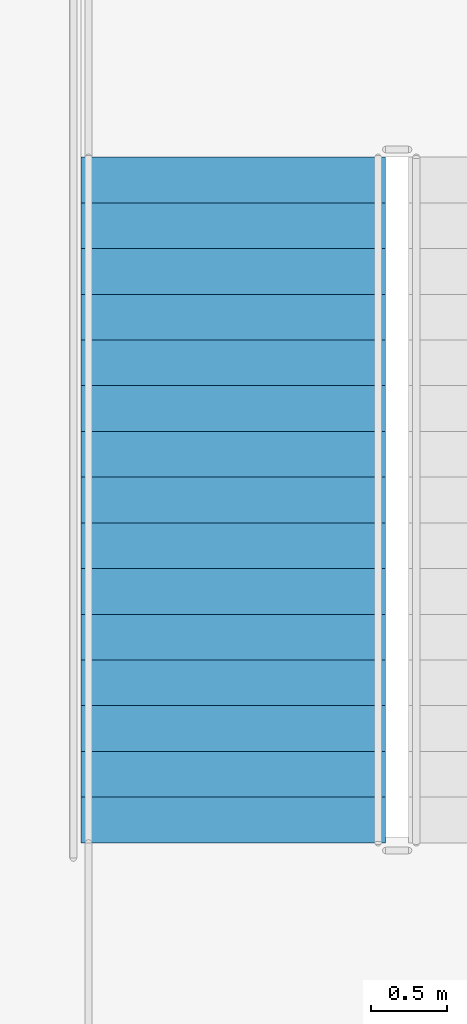
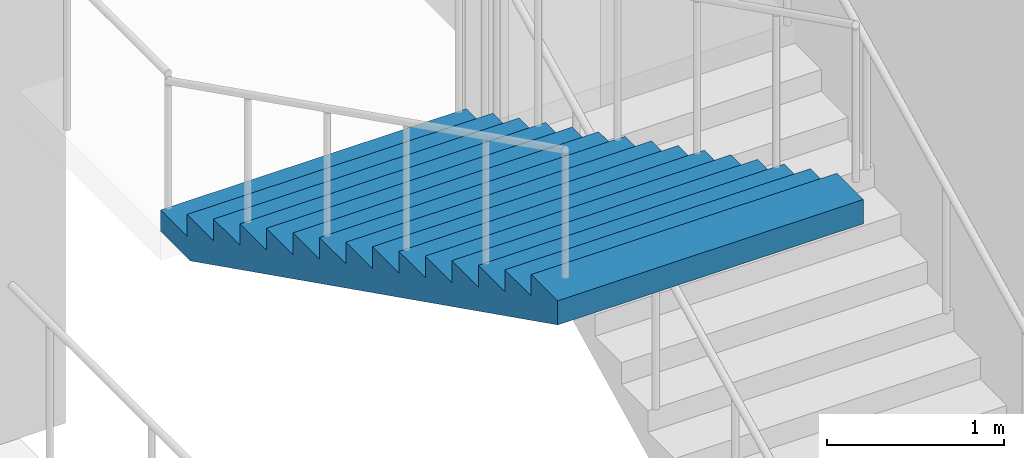
# One storey, part 63 of 86: 1 stair flight, 1 element without a shape of its own.
"""IFC4 building model written with IfcOpenShell, lengths in metres."""

import ifcopenshell
import ifcopenshell.guid

model = None  # the IFC model being written
_history = None  # IfcOwnerHistory: only IFC2X3 demands one
_inside = {}  # id of a spatial element -> (the spatial element, [elements in it])
_under = {}  # id of a project, library or spatial element -> (it, [spatial elements below it])
_declared = {}  # id of a project -> (the project, [libraries it declares])
_typed = {}  # id of a type object -> (the type object, [elements of that type])
_made_of = {}  # id of a material, layer set ... -> (it, [elements and type objects made of it])


def new_model(schema):
    """Start an empty IFC model of exactly this schema.

    Asked for "IFC4X3", IfcOpenShell would pick the latest addendum, in which some entities
    have other attributes; the version numbers below select the first issue.
    IFC2X3 requires an IfcOwnerHistory on every rooted entity: one is made here for all.
    """
    global model, _history
    if schema == "IFC4X3":
        model = ifcopenshell.file(schema_version=(4, 3, 0, 0))
    else:
        model = ifcopenshell.file(schema=schema)
    _inside.clear()
    _under.clear()
    _declared.clear()
    _typed.clear()
    _made_of.clear()
    _history = None
    if model.schema == "IFC2X3":
        org = make("IfcOrganization", Name="unknown")
        user = make(
            "IfcPersonAndOrganization",
            ThePerson=make("IfcPerson", FamilyName="unknown"),
            TheOrganization=org,
        )
        app = make(
            "IfcApplication",
            ApplicationDeveloper=org,
            Version="unknown",
            ApplicationFullName="unknown",
            ApplicationIdentifier="unknown",
        )
        _history = make(
            "IfcOwnerHistory",
            OwningUser=user,
            OwningApplication=app,
            ChangeAction="ADDED",
            CreationDate=0,
        )
    return model


def make(cls, **values):
    """One entity of the class cls with the attributes given. An attribute that is None is left unset."""
    return model.create_entity(
        cls, **{name: value for name, value in values.items() if value is not None}
    )


def rooted(cls, **values):
    """An entity with a GlobalId (a new one), such as an element, a storey or a relation."""
    return make(cls, GlobalId=ifcopenshell.guid.new(), OwnerHistory=_history, **values)


def si_unit(unit_type, name, prefix=None):
    """IfcSIUnit, for example si_unit("LENGTHUNIT", "METRE", prefix="MILLI")."""
    return make("IfcSIUnit", UnitType=unit_type, Prefix=prefix, Name=name)


def assignment(units):
    """IfcUnitAssignment: the units of a project."""
    return None if units is None else make("IfcUnitAssignment", Units=units)


def point(xyz):
    """IfcCartesianPoint."""
    return None if xyz is None else make("IfcCartesianPoint", Coordinates=xyz)


def direction(xyz):
    """IfcDirection."""
    return None if xyz is None else make("IfcDirection", DirectionRatios=xyz)


def frame(location, z_axis=None, x_axis=None):
    """IfcAxis2Placement3D, a coordinate frame: its origin and axes. An axis left out is left unset."""
    return make(
        "IfcAxis2Placement3D",
        Location=point(location),
        Axis=direction(z_axis),
        RefDirection=direction(x_axis),
    )


def origin():
    """The frame at (0, 0, 0) with its axes left unset."""
    return frame((0.0, 0.0, 0.0))


def place(relative_to, where):
    """IfcLocalPlacement: puts the frame where relative to a parent placement (None: the world)."""
    return make(
        "IfcLocalPlacement", PlacementRelTo=relative_to, RelativePlacement=where
    )


def context(
    kind, dimensions, precision=None, world=None, true_north=None, identifier=None
):
    """IfcGeometricRepresentationContext, for example the 3D "Model" context."""
    return make(
        "IfcGeometricRepresentationContext",
        ContextIdentifier=identifier,
        ContextType=kind,
        CoordinateSpaceDimension=dimensions,
        Precision=precision,
        WorldCoordinateSystem=world,
        TrueNorth=true_north,
    )


def subcontext(parent, identifier, kind, view, scale=None):
    """IfcGeometricRepresentationSubContext, for example "Body" below "Model"."""
    return make(
        "IfcGeometricRepresentationSubContext",
        ContextIdentifier=identifier,
        ContextType=kind,
        ParentContext=parent,
        TargetScale=scale,
        TargetView=view,
    )


def project(units=None, contexts=None):
    """IfcProject with its units and contexts."""
    return rooted(
        "IfcProject",
        Name="project",
        RepresentationContexts=contexts,
        UnitsInContext=assignment(units),
    )


def spatial(cls, under=None, at=None, **own):
    """A site, building, storey or space (cls), placed at a placement, below another one or the project."""
    s = rooted(cls, ObjectPlacement=at, **own)
    if under is not None:
        _under.setdefault(under.id(), (under, []))[1].append(s)
    return s


def faces_of(points, faces, orient=None, outer=None):
    """IfcFace entities. A face is a list of loops; a loop is a list of indices into points, from 0.

    orient and outer hold one flag for each loop. By default every Orientation is true, the
    first loop of a face is its IfcFaceOuterBound and the others are IfcFaceBound.
    """
    made = []
    for i, loops in enumerate(faces):
        bounds = []
        for j, loop in enumerate(loops):
            is_outer = j == 0 if outer is None else outer[i][j]
            bounds.append(
                make(
                    "IfcFaceOuterBound" if is_outer else "IfcFaceBound",
                    Bound=make("IfcPolyLoop", Polygon=[points[k] for k in loop]),
                    Orientation=True if orient is None else orient[i][j],
                )
            )
        made.append(make("IfcFace", Bounds=bounds))
    return made


def faceted_brep(points, faces, orient=None, outer=None, voids=None):
    """IfcFacetedBrep: a solid bounded by flat faces; with voids (closed shells), ...WithVoids."""
    shared = [point(p) for p in points]
    hull = make("IfcClosedShell", CfsFaces=faces_of(shared, faces, orient, outer))
    if voids is None:
        return make("IfcFacetedBrep", Outer=hull)
    return make(
        "IfcFacetedBrepWithVoids",
        Outer=hull,
        Voids=[
            make(cls, CfsFaces=faces_of(shared, fs, o, b)) for cls, fs, o, b in voids
        ],
    )


def shape(context_of_items, identifier, shape_type, items):
    """IfcShapeRepresentation: the items that make up one representation, for example the "Body"."""
    return make(
        "IfcShapeRepresentation",
        ContextOfItems=context_of_items,
        RepresentationIdentifier=identifier,
        RepresentationType=shape_type,
        Items=items,
    )


def material(Name=None, Category=None):
    """IfcMaterial."""
    return make("IfcMaterial", Name=Name, Category=Category)


def made_of(thing, what):
    """Note that an element or type object is made of a material, layer set ...; save() writes the relation."""
    if what is not None:
        _made_of.setdefault(what.id(), (what, []))[1].append(thing)
    return thing


def type_object(cls, material=None, **own):
    """A type object (cls), such as IfcWallType, which elements share."""
    return made_of(rooted(cls, **own), material)


def element(
    cls,
    number,
    at=None,
    inside=None,
    cuts=None,
    type_object=None,
    material=None,
    context=None,
    identifier="Body",
    shape_type=None,
    held_by="IfcProductDefinitionShape",
    body=None,
    shapes=None,
    **own,
):
    """One element of the class cls, such as IfcWall. Its Tag is "e" and its number.

    at: its placement. inside: the storey or other place that contains it. cuts: it is an
    opening in that element (IfcRelVoidsElement). A single representation is given by context,
    identifier, shape_type and body (its items); several are given by shapes. held_by: the class
    of the entity that holds the representations. save() writes the other relations.
    """
    e = rooted(cls, Tag="e%d" % number, ObjectPlacement=at, **own)
    if body is not None:
        shapes = [shape(context, identifier, shape_type, body)]
    if shapes is not None:
        e.Representation = make(held_by, Representations=shapes)
    if inside is not None:
        _inside.setdefault(inside.id(), (inside, []))[1].append(e)
    if cuts is not None:
        rooted(
            "IfcRelVoidsElement", RelatingBuildingElement=cuts, RelatedOpeningElement=e
        )
    if type_object is not None:
        _typed.setdefault(type_object.id(), (type_object, []))[1].append(e)
    return made_of(e, material)


def aggregate(whole, parts):
    """IfcRelAggregates: a whole, such as a stair, and the parts it consists of."""
    return rooted("IfcRelAggregates", RelatingObject=whole, RelatedObjects=parts)


def save(model, path):
    """Write the relations noted so far, then the file.

    IfcRelAggregates (storeys below a building ...), IfcRelContainedInSpatialStructure (elements
    in a storey), IfcRelDefinesByType, IfcRelAssociatesMaterial and IfcRelDeclares: one each for
    every whole, place, type object, material and project.
    """
    for whole, parts in _under.values():
        aggregate(whole, parts)
    for where, things in _inside.values():
        rooted(
            "IfcRelContainedInSpatialStructure",
            RelatedElements=things,
            RelatingStructure=where,
        )
    for kind, things in _typed.values():
        rooted("IfcRelDefinesByType", RelatedObjects=things, RelatingType=kind)
    for what, things in _made_of.values():
        rooted("IfcRelAssociatesMaterial", RelatedObjects=things, RelatingMaterial=what)
    for by, libraries in _declared.values():
        rooted("IfcRelDeclares", RelatingContext=by, RelatedDefinitions=libraries)
    model.write(path)


model = new_model("IFC4")

# Units and contexts
model_context = context("Model", 3, precision=1e-05, world=origin(), true_north=direction((0.0, 1.0)))
body_context = subcontext(model_context, "Body", "Model", "MODEL_VIEW")
ifc_project = project(units=[si_unit("LENGTHUNIT", "METRE"), si_unit("AREAUNIT", "SQUARE_METRE"), si_unit("VOLUMEUNIT", "CUBIC_METRE"), si_unit("PLANEANGLEUNIT", "RADIAN"), si_unit("MASSUNIT", "GRAM", prefix="KILO")], contexts=[model_context])

# Site, building, storey
site_placement = place(None, origin())
site = spatial("IfcSite", under=ifc_project, at=site_placement, CompositionType="ELEMENT")
building_placement = place(site_placement, origin())
building = spatial("IfcBuilding", under=site, at=building_placement, Name="Kiln Court Media Centre", CompositionType="ELEMENT")
storey_placement = place(building_placement, frame((0.0, 0.0, 10.199951171875)))
storey = spatial("IfcBuildingStorey", under=building, at=storey_placement, Name="L02", CompositionType="ELEMENT", Elevation=10.199951171875)

# Stair, stair flight
ifc_material_1 = material(Name="Concrete C40/50", Category="concrete")
stair_type = type_object("IfcStairType", Name="Concrete C40/50 dog-leg stair 2000 wide, 150 riser", PredefinedType="HALF_TURN_STAIR", material=ifc_material_1)
stair_placement = place(storey_placement, origin())
stair = element("IfcStair", 1, at=stair_placement, inside=storey, type_object=stair_type, Name="ST-F1 L02", PredefinedType="HALF_TURN_STAIR")
ifc_material_2 = material(Name="Concrete C40/50", Category="concrete")
stair_flight_type = type_object("IfcStairFlightType", Name="Concrete C40/50 stair flight 2000 wide, 150 riser, 300 going", PredefinedType="STRAIGHT", material=ifc_material_2)
stair_flight_placement = place(storey_placement, frame((55.64990234375, 40.10009765625, 2.400146484375), z_axis=(0.0, 0.0, 1.0), x_axis=(0.0, -1.0, 0.0)))
stair_flight = element("IfcStairFlight", 2, at=stair_flight_placement, type_object=stair_flight_type, Name="L02-ST-5010 flight 5021", NumberOfRisers=16, NumberOfTreads=15, PredefinedType="STRAIGHT", RiserHeight=0.15, TreadLength=0.3, context=body_context, shape_type="Brep", body=[
    faceted_brep([(0.335205078125, -1.0, 0.0), (4.5, -1.0, 2.08251953125), (4.5, -1.0, 2.25), (4.199951171875, -1.0, 2.25), (4.199951171875, -1.0, 2.10009765625), (3.89990234375, -1.0, 2.10009765625), (3.89990234375, -1.0, 1.949951171875), (3.60009765625, -1.0, 1.949951171875), (3.60009765625, -1.0, 1.800048828125), (3.300048828125, -1.0, 1.800048828125), (3.300048828125, -1.0, 1.64990234375), (3.0, -1.0, 1.64990234375), (3.0, -1.0, 1.5), (2.699951171875, -1.0, 1.5), (2.699951171875, -1.0, 1.35009765625), (2.39990234375, -1.0, 1.35009765625), (2.39990234375, -1.0, 1.199951171875), (2.10009765625, -1.0, 1.199951171875), (2.10009765625, -1.0, 1.050048828125), (1.800048828125, -1.0, 1.050048828125), (1.800048828125, -1.0, 0.89990234375), (1.5, -1.0, 0.89990234375), (1.5, -1.0, 0.75), (1.199951171875, -1.0, 0.75), (1.199951171875, -1.0, 0.60009765625), (0.89990234375, -1.0, 0.60009765625), (0.89990234375, -1.0, 0.449951171875), (0.60009765625, -1.0, 0.449951171875), (0.60009765625, -1.0, 0.300048828125), (0.300048828125, -1.0, 0.300048828125), (0.300048828125, -1.0, 0.14990234375), (0.0, -1.0, 0.14990234375), (0.0, -1.0, 0.0), (0.0, 1.0, 0.0), (0.0, 1.0, 0.14990234375), (0.300048828125, 1.0, 0.14990234375), (0.300048828125, 1.0, 0.300048828125), (0.60009765625, 1.0, 0.300048828125), (0.60009765625, 1.0, 0.449951171875), (0.89990234375, 1.0, 0.449951171875), (0.89990234375, 1.0, 0.60009765625), (1.199951171875, 1.0, 0.60009765625), (1.199951171875, 1.0, 0.75), (1.5, 1.0, 0.75), (1.5, 1.0, 0.89990234375), (1.800048828125, 1.0, 0.89990234375), (1.800048828125, 1.0, 1.050048828125), (2.10009765625, 1.0, 1.050048828125), (2.10009765625, 1.0, 1.199951171875), (2.39990234375, 1.0, 1.199951171875), (2.39990234375, 1.0, 1.35009765625), (2.699951171875, 1.0, 1.35009765625), (2.699951171875, 1.0, 1.5), (3.0, 1.0, 1.5), (3.0, 1.0, 1.64990234375), (3.300048828125, 1.0, 1.64990234375), (3.300048828125, 1.0, 1.800048828125), (3.60009765625, 1.0, 1.800048828125), (3.60009765625, 1.0, 1.949951171875), (3.89990234375, 1.0, 1.949951171875), (3.89990234375, 1.0, 2.10009765625), (4.199951171875, 1.0, 2.10009765625), (4.199951171875, 1.0, 2.25), (4.5, 1.0, 2.25), (4.5, 1.0, 2.08251953125), (0.335205078125, 1.0, 0.0), (4.5, 0.10009765625, 2.08251953125), (0.335205078125, 0.10009765625, 0.0), (4.5, 0.080078125, 2.08251953125), (0.335205078125, 0.080078125, 0.0), (4.5, 0.06005859375, 2.08251953125), (0.335205078125, 0.06005859375, 0.0), (4.5, 0.0400390625, 2.08251953125), (0.335205078125, 0.0400390625, 0.0), (4.5, 0.02001953125, 2.08251953125), (0.335205078125, 0.02001953125, 0.0), (4.5, 0.0, 2.08251953125), (0.335205078125, 0.0, 0.0), (4.5, -0.02001953125, 2.08251953125), (0.335205078125, -0.02001953125, 0.0), (4.5, -0.0400390625, 2.08251953125), (0.335205078125, -0.0400390625, 0.0), (4.5, -0.06005859375, 2.08251953125), (0.335205078125, -0.06005859375, 0.0), (4.5, -0.080078125, 2.08251953125), (0.335205078125, -0.080078125, 0.0), (4.5, -0.10009765625, 2.08251953125), (0.335205078125, -0.10009765625, 0.0), (4.5, 0.10009765625, 2.25), (4.5, 0.080078125, 2.25), (4.5, 0.06005859375, 2.25), (4.5, 0.0400390625, 2.25), (4.5, 0.02001953125, 2.25), (4.5, 0.0, 2.25), (4.5, -0.02001953125, 2.25), (4.5, -0.0400390625, 2.25), (4.5, -0.06005859375, 2.25), (4.5, -0.080078125, 2.25), (4.5, -0.10009765625, 2.25), (4.199951171875, 0.10009765625, 2.25), (4.199951171875, 0.080078125, 2.25), (4.199951171875, 0.06005859375, 2.25), (4.199951171875, 0.0400390625, 2.25), (4.199951171875, 0.02001953125, 2.25), (4.199951171875, 0.0, 2.25), (4.199951171875, -0.02001953125, 2.25), (4.199951171875, -0.0400390625, 2.25), (4.199951171875, -0.06005859375, 2.25), (4.199951171875, -0.080078125, 2.25), (4.199951171875, -0.10009765625, 2.25), (4.199951171875, 0.10009765625, 2.10009765625), (4.199951171875, 0.080078125, 2.10009765625), (4.199951171875, 0.06005859375, 2.10009765625), (4.199951171875, 0.0400390625, 2.10009765625), (4.199951171875, 0.02001953125, 2.10009765625), (4.199951171875, 0.0, 2.10009765625), (4.199951171875, -0.02001953125, 2.10009765625), (4.199951171875, -0.0400390625, 2.10009765625), (4.199951171875, -0.06005859375, 2.10009765625), (4.199951171875, -0.080078125, 2.10009765625), (4.199951171875, -0.10009765625, 2.10009765625), (3.89990234375, 0.10009765625, 2.10009765625), (3.89990234375, 0.080078125, 2.10009765625), (3.89990234375, 0.06005859375, 2.10009765625), (3.89990234375, 0.0400390625, 2.10009765625), (3.89990234375, 0.02001953125, 2.10009765625), (3.89990234375, 0.0, 2.10009765625), (3.89990234375, -0.02001953125, 2.10009765625), (3.89990234375, -0.0400390625, 2.10009765625), (3.89990234375, -0.06005859375, 2.10009765625), (3.89990234375, -0.080078125, 2.10009765625), (3.89990234375, -0.10009765625, 2.10009765625), (3.89990234375, 0.10009765625, 1.949951171875), (3.89990234375, 0.080078125, 1.949951171875), (3.89990234375, 0.06005859375, 1.949951171875), (3.89990234375, 0.0400390625, 1.949951171875), (3.89990234375, 0.02001953125, 1.949951171875), (3.89990234375, 0.0, 1.949951171875), (3.89990234375, -0.02001953125, 1.949951171875), (3.89990234375, -0.0400390625, 1.949951171875), (3.89990234375, -0.06005859375, 1.949951171875), (3.89990234375, -0.080078125, 1.949951171875), (3.89990234375, -0.10009765625, 1.949951171875), (3.60009765625, 0.10009765625, 1.949951171875), (3.60009765625, 0.080078125, 1.949951171875), (3.60009765625, 0.06005859375, 1.949951171875), (3.60009765625, 0.0400390625, 1.949951171875), (3.60009765625, 0.02001953125, 1.949951171875), (3.60009765625, 0.0, 1.949951171875), (3.60009765625, -0.02001953125, 1.949951171875), (3.60009765625, -0.0400390625, 1.949951171875), (3.60009765625, -0.06005859375, 1.949951171875), (3.60009765625, -0.080078125, 1.949951171875), (3.60009765625, -0.10009765625, 1.949951171875), (3.60009765625, 0.10009765625, 1.800048828125), (3.60009765625, 0.080078125, 1.800048828125), (3.60009765625, 0.06005859375, 1.800048828125), (3.60009765625, 0.0400390625, 1.800048828125), (3.60009765625, 0.02001953125, 1.800048828125), (3.60009765625, 0.0, 1.800048828125), (3.60009765625, -0.02001953125, 1.800048828125), (3.60009765625, -0.0400390625, 1.800048828125), (3.60009765625, -0.06005859375, 1.800048828125), (3.60009765625, -0.080078125, 1.800048828125), (3.60009765625, -0.10009765625, 1.800048828125), (3.300048828125, 0.10009765625, 1.800048828125), (3.300048828125, 0.080078125, 1.800048828125), (3.300048828125, 0.06005859375, 1.800048828125), (3.300048828125, 0.0400390625, 1.800048828125), (3.300048828125, 0.02001953125, 1.800048828125), (3.300048828125, 0.0, 1.800048828125), (3.300048828125, -0.02001953125, 1.800048828125), (3.300048828125, -0.0400390625, 1.800048828125), (3.300048828125, -0.06005859375, 1.800048828125), (3.300048828125, -0.080078125, 1.800048828125), (3.300048828125, -0.10009765625, 1.800048828125), (3.300048828125, 0.10009765625, 1.64990234375), (3.300048828125, 0.080078125, 1.64990234375), (3.300048828125, 0.06005859375, 1.64990234375), (3.300048828125, 0.0400390625, 1.64990234375), (3.300048828125, 0.02001953125, 1.64990234375), (3.300048828125, 0.0, 1.64990234375), (3.300048828125, -0.02001953125, 1.64990234375), (3.300048828125, -0.0400390625, 1.64990234375), (3.300048828125, -0.06005859375, 1.64990234375), (3.300048828125, -0.080078125, 1.64990234375), (3.300048828125, -0.10009765625, 1.64990234375), (3.0, 0.10009765625, 1.64990234375), (3.0, 0.080078125, 1.64990234375), (3.0, 0.06005859375, 1.64990234375), (3.0, 0.0400390625, 1.64990234375), (3.0, 0.02001953125, 1.64990234375), (3.0, 0.0, 1.64990234375), (3.0, -0.02001953125, 1.64990234375), (3.0, -0.0400390625, 1.64990234375), (3.0, -0.06005859375, 1.64990234375), (3.0, -0.080078125, 1.64990234375), (3.0, -0.10009765625, 1.64990234375), (3.0, 0.10009765625, 1.5), (3.0, 0.080078125, 1.5), (3.0, 0.06005859375, 1.5), (3.0, 0.0400390625, 1.5), (3.0, 0.02001953125, 1.5), (3.0, 0.0, 1.5), (3.0, -0.02001953125, 1.5), (3.0, -0.0400390625, 1.5), (3.0, -0.06005859375, 1.5), (3.0, -0.080078125, 1.5), (3.0, -0.10009765625, 1.5), (2.699951171875, 0.10009765625, 1.5), (2.699951171875, 0.080078125, 1.5), (2.699951171875, 0.06005859375, 1.5), (2.699951171875, 0.0400390625, 1.5), (2.699951171875, 0.02001953125, 1.5), (2.699951171875, 0.0, 1.5), (2.699951171875, -0.02001953125, 1.5), (2.699951171875, -0.0400390625, 1.5), (2.699951171875, -0.06005859375, 1.5), (2.699951171875, -0.080078125, 1.5), (2.699951171875, -0.10009765625, 1.5), (2.699951171875, 0.10009765625, 1.35009765625), (2.699951171875, 0.080078125, 1.35009765625), (2.699951171875, 0.06005859375, 1.35009765625), (2.699951171875, 0.0400390625, 1.35009765625), (2.699951171875, 0.02001953125, 1.35009765625), (2.699951171875, 0.0, 1.35009765625), (2.699951171875, -0.02001953125, 1.35009765625), (2.699951171875, -0.0400390625, 1.35009765625), (2.699951171875, -0.06005859375, 1.35009765625), (2.699951171875, -0.080078125, 1.35009765625), (2.699951171875, -0.10009765625, 1.35009765625), (2.39990234375, 0.10009765625, 1.35009765625), (2.39990234375, 0.080078125, 1.35009765625), (2.39990234375, 0.06005859375, 1.35009765625), (2.39990234375, 0.0400390625, 1.35009765625), (2.39990234375, 0.02001953125, 1.35009765625), (2.39990234375, 0.0, 1.35009765625), (2.39990234375, -0.02001953125, 1.35009765625), (2.39990234375, -0.0400390625, 1.35009765625), (2.39990234375, -0.06005859375, 1.35009765625), (2.39990234375, -0.080078125, 1.35009765625), (2.39990234375, -0.10009765625, 1.35009765625), (2.39990234375, 0.10009765625, 1.199951171875), (2.39990234375, 0.080078125, 1.199951171875), (2.39990234375, 0.06005859375, 1.199951171875), (2.39990234375, 0.0400390625, 1.199951171875), (2.39990234375, 0.02001953125, 1.199951171875), (2.39990234375, 0.0, 1.199951171875), (2.39990234375, -0.02001953125, 1.199951171875), (2.39990234375, -0.0400390625, 1.199951171875), (2.39990234375, -0.06005859375, 1.199951171875), (2.39990234375, -0.080078125, 1.199951171875), (2.39990234375, -0.10009765625, 1.199951171875), (2.10009765625, 0.10009765625, 1.199951171875), (2.10009765625, 0.080078125, 1.199951171875), (2.10009765625, 0.06005859375, 1.199951171875), (2.10009765625, 0.0400390625, 1.199951171875), (2.10009765625, 0.02001953125, 1.199951171875), (2.10009765625, 0.0, 1.199951171875), (2.10009765625, -0.02001953125, 1.199951171875), (2.10009765625, -0.0400390625, 1.199951171875), (2.10009765625, -0.06005859375, 1.199951171875), (2.10009765625, -0.080078125, 1.199951171875), (2.10009765625, -0.10009765625, 1.199951171875), (2.10009765625, 0.10009765625, 1.050048828125), (2.10009765625, 0.080078125, 1.050048828125), (2.10009765625, 0.06005859375, 1.050048828125), (2.10009765625, 0.0400390625, 1.050048828125), (2.10009765625, 0.02001953125, 1.050048828125), (2.10009765625, 0.0, 1.050048828125), (2.10009765625, -0.02001953125, 1.050048828125), (2.10009765625, -0.0400390625, 1.050048828125), (2.10009765625, -0.06005859375, 1.050048828125), (2.10009765625, -0.080078125, 1.050048828125), (2.10009765625, -0.10009765625, 1.050048828125), (1.800048828125, 0.10009765625, 1.050048828125), (1.800048828125, 0.080078125, 1.050048828125), (1.800048828125, 0.06005859375, 1.050048828125), (1.800048828125, 0.0400390625, 1.050048828125), (1.800048828125, 0.02001953125, 1.050048828125), (1.800048828125, 0.0, 1.050048828125), (1.800048828125, -0.02001953125, 1.050048828125), (1.800048828125, -0.0400390625, 1.050048828125), (1.800048828125, -0.06005859375, 1.050048828125), (1.800048828125, -0.080078125, 1.050048828125), (1.800048828125, -0.10009765625, 1.050048828125), (1.800048828125, 0.10009765625, 0.89990234375), (1.800048828125, 0.080078125, 0.89990234375), (1.800048828125, 0.06005859375, 0.89990234375), (1.800048828125, 0.0400390625, 0.89990234375), (1.800048828125, 0.02001953125, 0.89990234375), (1.800048828125, 0.0, 0.89990234375), (1.800048828125, -0.02001953125, 0.89990234375), (1.800048828125, -0.0400390625, 0.89990234375), (1.800048828125, -0.06005859375, 0.89990234375), (1.800048828125, -0.080078125, 0.89990234375), (1.800048828125, -0.10009765625, 0.89990234375), (1.5, 0.10009765625, 0.89990234375), (1.5, 0.080078125, 0.89990234375), (1.5, 0.06005859375, 0.89990234375), (1.5, 0.0400390625, 0.89990234375), (1.5, 0.02001953125, 0.89990234375), (1.5, 0.0, 0.89990234375), (1.5, -0.02001953125, 0.89990234375), (1.5, -0.0400390625, 0.89990234375), (1.5, -0.06005859375, 0.89990234375), (1.5, -0.080078125, 0.89990234375), (1.5, -0.10009765625, 0.89990234375), (1.5, 0.10009765625, 0.75), (1.5, 0.080078125, 0.75), (1.5, 0.06005859375, 0.75), (1.5, 0.0400390625, 0.75), (1.5, 0.02001953125, 0.75), (1.5, 0.0, 0.75), (1.5, -0.02001953125, 0.75), (1.5, -0.0400390625, 0.75), (1.5, -0.06005859375, 0.75), (1.5, -0.080078125, 0.75), (1.5, -0.10009765625, 0.75), (1.199951171875, 0.10009765625, 0.75), (1.199951171875, 0.080078125, 0.75), (1.199951171875, 0.06005859375, 0.75), (1.199951171875, 0.0400390625, 0.75), (1.199951171875, 0.02001953125, 0.75), (1.199951171875, 0.0, 0.75), (1.199951171875, -0.02001953125, 0.75), (1.199951171875, -0.0400390625, 0.75), (1.199951171875, -0.06005859375, 0.75), (1.199951171875, -0.080078125, 0.75), (1.199951171875, -0.10009765625, 0.75), (1.199951171875, 0.10009765625, 0.60009765625), (1.199951171875, 0.080078125, 0.60009765625), (1.199951171875, 0.06005859375, 0.60009765625), (1.199951171875, 0.0400390625, 0.60009765625), (1.199951171875, 0.02001953125, 0.60009765625), (1.199951171875, 0.0, 0.60009765625), (1.199951171875, -0.02001953125, 0.60009765625), (1.199951171875, -0.0400390625, 0.60009765625), (1.199951171875, -0.06005859375, 0.60009765625), (1.199951171875, -0.080078125, 0.60009765625), (1.199951171875, -0.10009765625, 0.60009765625), (0.89990234375, 0.10009765625, 0.60009765625), (0.89990234375, 0.080078125, 0.60009765625), (0.89990234375, 0.06005859375, 0.60009765625), (0.89990234375, 0.0400390625, 0.60009765625), (0.89990234375, 0.02001953125, 0.60009765625), (0.89990234375, 0.0, 0.60009765625), (0.89990234375, -0.02001953125, 0.60009765625), (0.89990234375, -0.0400390625, 0.60009765625), (0.89990234375, -0.06005859375, 0.60009765625), (0.89990234375, -0.080078125, 0.60009765625), (0.89990234375, -0.10009765625, 0.60009765625), (0.89990234375, 0.10009765625, 0.449951171875), (0.89990234375, 0.080078125, 0.449951171875), (0.89990234375, 0.06005859375, 0.449951171875), (0.89990234375, 0.0400390625, 0.449951171875), (0.89990234375, 0.02001953125, 0.449951171875), (0.89990234375, 0.0, 0.449951171875), (0.89990234375, -0.02001953125, 0.449951171875), (0.89990234375, -0.0400390625, 0.449951171875), (0.89990234375, -0.06005859375, 0.449951171875), (0.89990234375, -0.080078125, 0.449951171875), (0.89990234375, -0.10009765625, 0.449951171875), (0.60009765625, 0.10009765625, 0.449951171875), (0.60009765625, 0.080078125, 0.449951171875), (0.60009765625, 0.06005859375, 0.449951171875), (0.60009765625, 0.0400390625, 0.449951171875), (0.60009765625, 0.02001953125, 0.449951171875), (0.60009765625, 0.0, 0.449951171875), (0.60009765625, -0.02001953125, 0.449951171875), (0.60009765625, -0.0400390625, 0.449951171875), (0.60009765625, -0.06005859375, 0.449951171875), (0.60009765625, -0.080078125, 0.449951171875), (0.60009765625, -0.10009765625, 0.449951171875), (0.60009765625, 0.10009765625, 0.300048828125), (0.60009765625, 0.080078125, 0.300048828125), (0.60009765625, 0.06005859375, 0.300048828125), (0.60009765625, 0.0400390625, 0.300048828125), (0.60009765625, 0.02001953125, 0.300048828125), (0.60009765625, 0.0, 0.300048828125), (0.60009765625, -0.02001953125, 0.300048828125), (0.60009765625, -0.0400390625, 0.300048828125), (0.60009765625, -0.06005859375, 0.300048828125), (0.60009765625, -0.080078125, 0.300048828125), (0.60009765625, -0.10009765625, 0.300048828125), (0.300048828125, 0.10009765625, 0.300048828125), (0.300048828125, 0.080078125, 0.300048828125), (0.300048828125, 0.06005859375, 0.300048828125), (0.300048828125, 0.0400390625, 0.300048828125), (0.300048828125, 0.02001953125, 0.300048828125), (0.300048828125, 0.0, 0.300048828125), (0.300048828125, -0.02001953125, 0.300048828125), (0.300048828125, -0.0400390625, 0.300048828125), (0.300048828125, -0.06005859375, 0.300048828125), (0.300048828125, -0.080078125, 0.300048828125), (0.300048828125, -0.10009765625, 0.300048828125), (0.300048828125, 0.10009765625, 0.14990234375), (0.300048828125, 0.080078125, 0.14990234375), (0.300048828125, 0.06005859375, 0.14990234375), (0.300048828125, 0.0400390625, 0.14990234375), (0.300048828125, 0.02001953125, 0.14990234375), (0.300048828125, 0.0, 0.14990234375), (0.300048828125, -0.02001953125, 0.14990234375), (0.300048828125, -0.0400390625, 0.14990234375), (0.300048828125, -0.06005859375, 0.14990234375), (0.300048828125, -0.080078125, 0.14990234375), (0.300048828125, -0.10009765625, 0.14990234375), (0.0, 0.10009765625, 0.14990234375), (0.0, 0.080078125, 0.14990234375), (0.0, 0.06005859375, 0.14990234375), (0.0, 0.0400390625, 0.14990234375), (0.0, 0.02001953125, 0.14990234375), (0.0, 0.0, 0.14990234375), (0.0, -0.02001953125, 0.14990234375), (0.0, -0.0400390625, 0.14990234375), (0.0, -0.06005859375, 0.14990234375), (0.0, -0.080078125, 0.14990234375), (0.0, -0.10009765625, 0.14990234375), (0.0, 0.10009765625, 0.0), (0.0, 0.080078125, 0.0), (0.0, 0.06005859375, 0.0), (0.0, 0.0400390625, 0.0), (0.0, 0.02001953125, 0.0), (0.0, 0.0, 0.0), (0.0, -0.02001953125, 0.0), (0.0, -0.0400390625, 0.0), (0.0, -0.06005859375, 0.0), (0.0, -0.080078125, 0.0), (0.0, -0.10009765625, 0.0)], [[[0, 1, 2, 3, 4, 5, 6, 7, 8, 9, 10, 11, 12, 13, 14, 15, 16, 17, 18, 19, 20, 21, 22, 23, 24, 25, 26, 27, 28, 29, 30, 31, 32]], [[33, 34, 35, 36, 37, 38, 39, 40, 41, 42, 43, 44, 45, 46, 47, 48, 49, 50, 51, 52, 53, 54, 55, 56, 57, 58, 59, 60, 61, 62, 63, 64, 65]], [[65, 64, 66, 67]], [[67, 66, 68, 69]], [[69, 68, 70, 71]], [[71, 70, 72, 73]], [[73, 72, 74, 75]], [[75, 74, 76, 77]], [[77, 76, 78, 79]], [[79, 78, 80, 81]], [[81, 80, 82, 83]], [[83, 82, 84, 85]], [[85, 84, 86, 87]], [[87, 86, 1, 0]], [[64, 63, 88, 66]], [[66, 88, 89, 68]], [[68, 89, 90, 70]], [[70, 90, 91, 72]], [[72, 91, 92, 74]], [[74, 92, 93, 76]], [[76, 93, 94, 78]], [[78, 94, 95, 80]], [[80, 95, 96, 82]], [[82, 96, 97, 84]], [[84, 97, 98, 86]], [[86, 98, 2, 1]], [[63, 62, 99, 88]], [[88, 99, 100, 89]], [[89, 100, 101, 90]], [[90, 101, 102, 91]], [[91, 102, 103, 92]], [[92, 103, 104, 93]], [[93, 104, 105, 94]], [[94, 105, 106, 95]], [[95, 106, 107, 96]], [[96, 107, 108, 97]], [[97, 108, 109, 98]], [[98, 109, 3, 2]], [[62, 61, 110, 99]], [[99, 110, 111, 100]], [[100, 111, 112, 101]], [[101, 112, 113, 102]], [[102, 113, 114, 103]], [[103, 114, 115, 104]], [[104, 115, 116, 105]], [[105, 116, 117, 106]], [[106, 117, 118, 107]], [[107, 118, 119, 108]], [[108, 119, 120, 109]], [[109, 120, 4, 3]], [[61, 60, 121, 110]], [[110, 121, 122, 111]], [[111, 122, 123, 112]], [[112, 123, 124, 113]], [[113, 124, 125, 114]], [[114, 125, 126, 115]], [[115, 126, 127, 116]], [[116, 127, 128, 117]], [[117, 128, 129, 118]], [[118, 129, 130, 119]], [[119, 130, 131, 120]], [[120, 131, 5, 4]], [[60, 59, 132, 121]], [[121, 132, 133, 122]], [[122, 133, 134, 123]], [[123, 134, 135, 124]], [[124, 135, 136, 125]], [[125, 136, 137, 126]], [[126, 137, 138, 127]], [[127, 138, 139, 128]], [[128, 139, 140, 129]], [[129, 140, 141, 130]], [[130, 141, 142, 131]], [[131, 142, 6, 5]], [[59, 58, 143, 132]], [[132, 143, 144, 133]], [[133, 144, 145, 134]], [[134, 145, 146, 135]], [[135, 146, 147, 136]], [[136, 147, 148, 137]], [[137, 148, 149, 138]], [[138, 149, 150, 139]], [[139, 150, 151, 140]], [[140, 151, 152, 141]], [[141, 152, 153, 142]], [[142, 153, 7, 6]], [[58, 57, 154, 143]], [[143, 154, 155, 144]], [[144, 155, 156, 145]], [[145, 156, 157, 146]], [[146, 157, 158, 147]], [[147, 158, 159, 148]], [[148, 159, 160, 149]], [[149, 160, 161, 150]], [[150, 161, 162, 151]], [[151, 162, 163, 152]], [[152, 163, 164, 153]], [[153, 164, 8, 7]], [[57, 56, 165, 154]], [[154, 165, 166, 155]], [[155, 166, 167, 156]], [[156, 167, 168, 157]], [[157, 168, 169, 158]], [[158, 169, 170, 159]], [[159, 170, 171, 160]], [[160, 171, 172, 161]], [[161, 172, 173, 162]], [[162, 173, 174, 163]], [[163, 174, 175, 164]], [[164, 175, 9, 8]], [[56, 55, 176, 165]], [[165, 176, 177, 166]], [[166, 177, 178, 167]], [[167, 178, 179, 168]], [[168, 179, 180, 169]], [[169, 180, 181, 170]], [[170, 181, 182, 171]], [[171, 182, 183, 172]], [[172, 183, 184, 173]], [[173, 184, 185, 174]], [[174, 185, 186, 175]], [[175, 186, 10, 9]], [[55, 54, 187, 176]], [[176, 187, 188, 177]], [[177, 188, 189, 178]], [[178, 189, 190, 179]], [[179, 190, 191, 180]], [[180, 191, 192, 181]], [[181, 192, 193, 182]], [[182, 193, 194, 183]], [[183, 194, 195, 184]], [[184, 195, 196, 185]], [[185, 196, 197, 186]], [[186, 197, 11, 10]], [[54, 53, 198, 187]], [[187, 198, 199, 188]], [[188, 199, 200, 189]], [[189, 200, 201, 190]], [[190, 201, 202, 191]], [[191, 202, 203, 192]], [[192, 203, 204, 193]], [[193, 204, 205, 194]], [[194, 205, 206, 195]], [[195, 206, 207, 196]], [[196, 207, 208, 197]], [[197, 208, 12, 11]], [[53, 52, 209, 198]], [[198, 209, 210, 199]], [[199, 210, 211, 200]], [[200, 211, 212, 201]], [[201, 212, 213, 202]], [[202, 213, 214, 203]], [[203, 214, 215, 204]], [[204, 215, 216, 205]], [[205, 216, 217, 206]], [[206, 217, 218, 207]], [[207, 218, 219, 208]], [[208, 219, 13, 12]], [[52, 51, 220, 209]], [[209, 220, 221, 210]], [[210, 221, 222, 211]], [[211, 222, 223, 212]], [[212, 223, 224, 213]], [[213, 224, 225, 214]], [[214, 225, 226, 215]], [[215, 226, 227, 216]], [[216, 227, 228, 217]], [[217, 228, 229, 218]], [[218, 229, 230, 219]], [[219, 230, 14, 13]], [[51, 50, 231, 220]], [[220, 231, 232, 221]], [[221, 232, 233, 222]], [[222, 233, 234, 223]], [[223, 234, 235, 224]], [[224, 235, 236, 225]], [[225, 236, 237, 226]], [[226, 237, 238, 227]], [[227, 238, 239, 228]], [[228, 239, 240, 229]], [[229, 240, 241, 230]], [[230, 241, 15, 14]], [[50, 49, 242, 231]], [[231, 242, 243, 232]], [[232, 243, 244, 233]], [[233, 244, 245, 234]], [[234, 245, 246, 235]], [[235, 246, 247, 236]], [[236, 247, 248, 237]], [[237, 248, 249, 238]], [[238, 249, 250, 239]], [[239, 250, 251, 240]], [[240, 251, 252, 241]], [[241, 252, 16, 15]], [[49, 48, 253, 242]], [[242, 253, 254, 243]], [[243, 254, 255, 244]], [[244, 255, 256, 245]], [[245, 256, 257, 246]], [[246, 257, 258, 247]], [[247, 258, 259, 248]], [[248, 259, 260, 249]], [[249, 260, 261, 250]], [[250, 261, 262, 251]], [[251, 262, 263, 252]], [[252, 263, 17, 16]], [[48, 47, 264, 253]], [[253, 264, 265, 254]], [[254, 265, 266, 255]], [[255, 266, 267, 256]], [[256, 267, 268, 257]], [[257, 268, 269, 258]], [[258, 269, 270, 259]], [[259, 270, 271, 260]], [[260, 271, 272, 261]], [[261, 272, 273, 262]], [[262, 273, 274, 263]], [[263, 274, 18, 17]], [[47, 46, 275, 264]], [[264, 275, 276, 265]], [[265, 276, 277, 266]], [[266, 277, 278, 267]], [[267, 278, 279, 268]], [[268, 279, 280, 269]], [[269, 280, 281, 270]], [[270, 281, 282, 271]], [[271, 282, 283, 272]], [[272, 283, 284, 273]], [[273, 284, 285, 274]], [[274, 285, 19, 18]], [[46, 45, 286, 275]], [[275, 286, 287, 276]], [[276, 287, 288, 277]], [[277, 288, 289, 278]], [[278, 289, 290, 279]], [[279, 290, 291, 280]], [[280, 291, 292, 281]], [[281, 292, 293, 282]], [[282, 293, 294, 283]], [[283, 294, 295, 284]], [[284, 295, 296, 285]], [[285, 296, 20, 19]], [[45, 44, 297, 286]], [[286, 297, 298, 287]], [[287, 298, 299, 288]], [[288, 299, 300, 289]], [[289, 300, 301, 290]], [[290, 301, 302, 291]], [[291, 302, 303, 292]], [[292, 303, 304, 293]], [[293, 304, 305, 294]], [[294, 305, 306, 295]], [[295, 306, 307, 296]], [[296, 307, 21, 20]], [[44, 43, 308, 297]], [[297, 308, 309, 298]], [[298, 309, 310, 299]], [[299, 310, 311, 300]], [[300, 311, 312, 301]], [[301, 312, 313, 302]], [[302, 313, 314, 303]], [[303, 314, 315, 304]], [[304, 315, 316, 305]], [[305, 316, 317, 306]], [[306, 317, 318, 307]], [[307, 318, 22, 21]], [[43, 42, 319, 308]], [[308, 319, 320, 309]], [[309, 320, 321, 310]], [[310, 321, 322, 311]], [[311, 322, 323, 312]], [[312, 323, 324, 313]], [[313, 324, 325, 314]], [[314, 325, 326, 315]], [[315, 326, 327, 316]], [[316, 327, 328, 317]], [[317, 328, 329, 318]], [[318, 329, 23, 22]], [[42, 41, 330, 319]], [[319, 330, 331, 320]], [[320, 331, 332, 321]], [[321, 332, 333, 322]], [[322, 333, 334, 323]], [[323, 334, 335, 324]], [[324, 335, 336, 325]], [[325, 336, 337, 326]], [[326, 337, 338, 327]], [[327, 338, 339, 328]], [[328, 339, 340, 329]], [[329, 340, 24, 23]], [[41, 40, 341, 330]], [[330, 341, 342, 331]], [[331, 342, 343, 332]], [[332, 343, 344, 333]], [[333, 344, 345, 334]], [[334, 345, 346, 335]], [[335, 346, 347, 336]], [[336, 347, 348, 337]], [[337, 348, 349, 338]], [[338, 349, 350, 339]], [[339, 350, 351, 340]], [[340, 351, 25, 24]], [[40, 39, 352, 341]], [[341, 352, 353, 342]], [[342, 353, 354, 343]], [[343, 354, 355, 344]], [[344, 355, 356, 345]], [[345, 356, 357, 346]], [[346, 357, 358, 347]], [[347, 358, 359, 348]], [[348, 359, 360, 349]], [[349, 360, 361, 350]], [[350, 361, 362, 351]], [[351, 362, 26, 25]], [[39, 38, 363, 352]], [[352, 363, 364, 353]], [[353, 364, 365, 354]], [[354, 365, 366, 355]], [[355, 366, 367, 356]], [[356, 367, 368, 357]], [[357, 368, 369, 358]], [[358, 369, 370, 359]], [[359, 370, 371, 360]], [[360, 371, 372, 361]], [[361, 372, 373, 362]], [[362, 373, 27, 26]], [[38, 37, 374, 363]], [[363, 374, 375, 364]], [[364, 375, 376, 365]], [[365, 376, 377, 366]], [[366, 377, 378, 367]], [[367, 378, 379, 368]], [[368, 379, 380, 369]], [[369, 380, 381, 370]], [[370, 381, 382, 371]], [[371, 382, 383, 372]], [[372, 383, 384, 373]], [[373, 384, 28, 27]], [[37, 36, 385, 374]], [[374, 385, 386, 375]], [[375, 386, 387, 376]], [[376, 387, 388, 377]], [[377, 388, 389, 378]], [[378, 389, 390, 379]], [[379, 390, 391, 380]], [[380, 391, 392, 381]], [[381, 392, 393, 382]], [[382, 393, 394, 383]], [[383, 394, 395, 384]], [[384, 395, 29, 28]], [[36, 35, 396, 385]], [[385, 396, 397, 386]], [[386, 397, 398, 387]], [[387, 398, 399, 388]], [[388, 399, 400, 389]], [[389, 400, 401, 390]], [[390, 401, 402, 391]], [[391, 402, 403, 392]], [[392, 403, 404, 393]], [[393, 404, 405, 394]], [[394, 405, 406, 395]], [[395, 406, 30, 29]], [[35, 34, 407, 396]], [[396, 407, 408, 397]], [[397, 408, 409, 398]], [[398, 409, 410, 399]], [[399, 410, 411, 400]], [[400, 411, 412, 401]], [[401, 412, 413, 402]], [[402, 413, 414, 403]], [[403, 414, 415, 404]], [[404, 415, 416, 405]], [[405, 416, 417, 406]], [[406, 417, 31, 30]], [[34, 33, 418, 407]], [[407, 418, 419, 408]], [[408, 419, 420, 409]], [[409, 420, 421, 410]], [[410, 421, 422, 411]], [[411, 422, 423, 412]], [[412, 423, 424, 413]], [[413, 424, 425, 414]], [[414, 425, 426, 415]], [[415, 426, 427, 416]], [[416, 427, 428, 417]], [[417, 428, 32, 31]], [[33, 65, 67, 418]], [[418, 67, 69, 419]], [[419, 69, 71, 420]], [[420, 71, 73, 421]], [[421, 73, 75, 422]], [[422, 75, 77, 423]], [[423, 77, 79, 424]], [[424, 79, 81, 425]], [[425, 81, 83, 426]], [[426, 83, 85, 427]], [[427, 85, 87, 428]], [[428, 87, 0, 32]]]),
])
aggregate(stair, [stair_flight])

save(model, "model.ifc")
